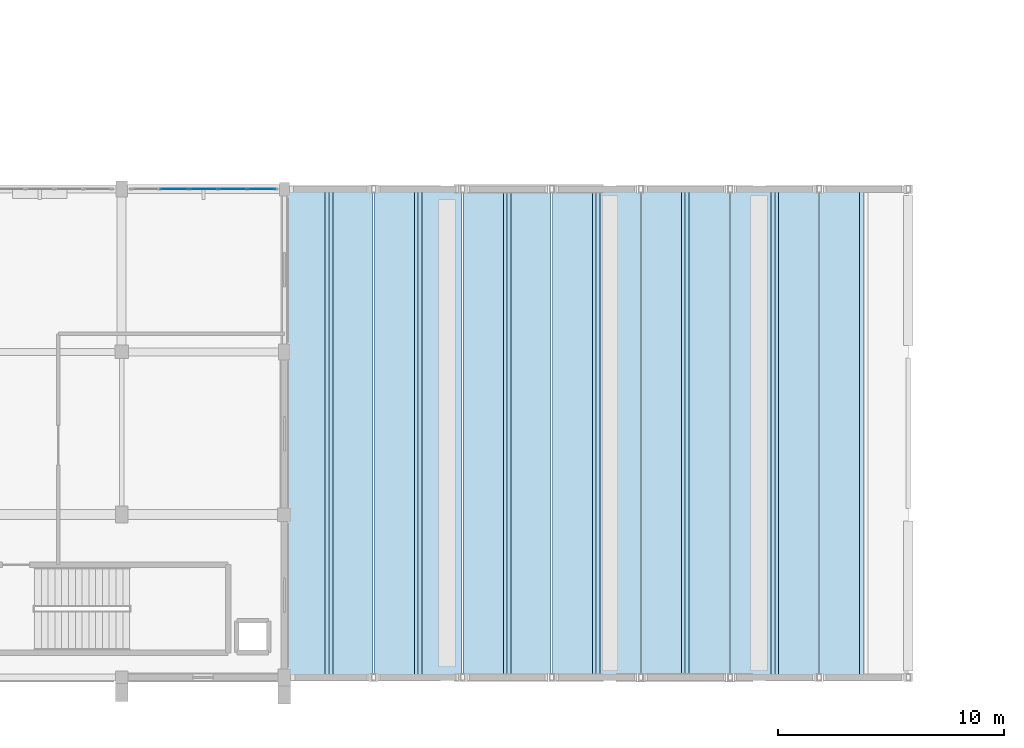
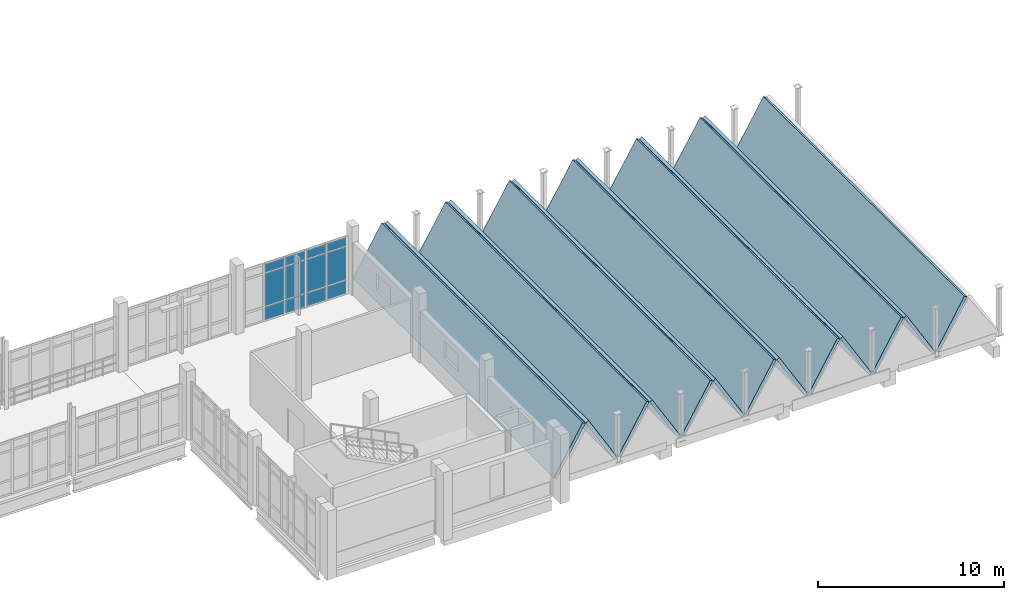
# One storey, part 96 of 124: 13 slabs, 12 plates, 1 element without a shape of its own.
"""IFC4 building model written with IfcOpenShell, lengths in metres."""

from ifc_helpers import new_model, si_unit, direction, frame, origin, origin_2d, place, context, subcontext, project, spatial, polyline, rectangle, outline, extrude, material, layer, layer_set, type_object, element, aggregate, save


model = new_model("IFC4")

# Units and contexts
model_context = context("Model", 3, precision=1e-05, world=origin(), true_north=direction((0.0, 1.0)))
body_context = subcontext(model_context, "Body", "Model", "MODEL_VIEW")
ifc_project = project(units=[si_unit("LENGTHUNIT", "METRE"), si_unit("AREAUNIT", "SQUARE_METRE"), si_unit("VOLUMEUNIT", "CUBIC_METRE"), si_unit("PLANEANGLEUNIT", "RADIAN"), si_unit("MASSUNIT", "GRAM", prefix="KILO")], contexts=[model_context])

# Site, building, storey
site_placement = place(None, origin())
site = spatial("IfcSite", under=ifc_project, at=site_placement, CompositionType="ELEMENT")
building_placement = place(site_placement, origin())
building = spatial("IfcBuilding", under=site, at=building_placement, Name="Kalluvel Institute of Natural Sciences", CompositionType="ELEMENT")
storey_placement = place(building_placement, frame((0.0, 0.0, 9.89990234375)))
storey = spatial("IfcBuildingStorey", under=building, at=storey_placement, Name="L02", CompositionType="ELEMENT", Elevation=9.89990234375)

# Curtain wall, plates
ifc_material_1 = material(Name="Aluminium AW-6063 T6", Category="aluminium")
curtain_wall_type = type_object("IfcCurtainWallType", Name="CW-SPAV-45", PredefinedType="USERDEFINED", material=ifc_material_1)
curtain_wall_placement = place(storey_placement, origin())
curtain_wall = element("IfcCurtainWall", 1, at=curtain_wall_placement, inside=storey, type_object=curtain_wall_type, Name="L02 Gothic lancet curtain wall CWA-L02-X1080-Y356", ObjectType="UNITISED LANCET FACADE", PredefinedType="USERDEFINED")
ifc_material_2 = material(Name="Solar-Control Low-E Laminated Glass", Category="glass")
ifc_layer_1 = layer(ifc_material_2, 0.028076171875)
ifc_layer_set_1 = layer_set([ifc_layer_1], Name="Solar-Control Low-E Laminated Glass")
plate_type = type_object("IfcPlateType", Name="CWP-DGU-28", PredefinedType="CURTAIN_PANEL", material=ifc_layer_set_1)
plate_1_placement = place(storey_placement, frame((109.93505859375, 35.60009765625, 0.065185546875), z_axis=(0.0, 0.0, 1.0), x_axis=(1.0, 0.0, 0.0)))
plate_1 = element("IfcPlate", 2, at=plate_1_placement, type_object=plate_type, Name="CW-10 panel 2.1", PredefinedType="CURTAIN_PANEL", context=body_context, shape_type="SweptSolid", body=[
    extrude(rectangle(XDim=1.22509765625, YDim=0.028076171875, at=origin_2d()), origin(), (0.0, 0.0, 1.0), 0.8525390625),
])
plate_2_placement = place(storey_placement, frame((109.93505859375, 35.60009765625, 0.982421875), z_axis=(0.0, 0.0, 1.0), x_axis=(1.0, 0.0, 0.0)))
plate_2 = element("IfcPlate", 3, at=plate_2_placement, type_object=plate_type, Name="CW-10 panel 2.2", PredefinedType="CURTAIN_PANEL", context=body_context, shape_type="SweptSolid", body=[
    extrude(rectangle(XDim=1.22509765625, YDim=0.028076171875, at=origin_2d()), origin(), (0.0, 0.0, 1.0), 2.135009765625),
])
plate_3_placement = place(storey_placement, frame((109.93505859375, 35.60009765625, 3.1826171875), z_axis=(0.0, 0.0, 1.0), x_axis=(1.0, 0.0, 0.0)))
plate_3 = element("IfcPlate", 4, at=plate_3_placement, type_object=plate_type, Name="CW-10 panel 2.3", PredefinedType="CURTAIN_PANEL", context=body_context, shape_type="SweptSolid", body=[
    extrude(rectangle(XDim=1.22509765625, YDim=0.028076171875, at=origin_2d()), origin(), (0.0, 0.0, 1.0), 0.552490234375),
])
plate_4_placement = place(storey_placement, frame((111.22509765625, 35.60009765625, 0.065185546875), z_axis=(0.0, 0.0, 1.0), x_axis=(1.0, 0.0, 0.0)))
plate_4 = element("IfcPlate", 5, at=plate_4_placement, type_object=plate_type, Name="CW-10 panel 3.1", PredefinedType="CURTAIN_PANEL", context=body_context, shape_type="SweptSolid", body=[
    extrude(rectangle(XDim=1.22509765625, YDim=0.028076171875, at=origin_2d()), origin(), (0.0, 0.0, 1.0), 0.8525390625),
])
plate_5_placement = place(storey_placement, frame((111.22509765625, 35.60009765625, 0.982421875), z_axis=(0.0, 0.0, 1.0), x_axis=(1.0, 0.0, 0.0)))
plate_5 = element("IfcPlate", 6, at=plate_5_placement, type_object=plate_type, Name="CW-10 panel 3.2", PredefinedType="CURTAIN_PANEL", context=body_context, shape_type="SweptSolid", body=[
    extrude(rectangle(XDim=1.22509765625, YDim=0.028076171875, at=origin_2d()), origin(), (0.0, 0.0, 1.0), 2.135009765625),
])
plate_6_placement = place(storey_placement, frame((111.22509765625, 35.60009765625, 3.1826171875), z_axis=(0.0, 0.0, 1.0), x_axis=(1.0, 0.0, 0.0)))
plate_6 = element("IfcPlate", 7, at=plate_6_placement, type_object=plate_type, Name="CW-10 panel 3.3", PredefinedType="CURTAIN_PANEL", context=body_context, shape_type="SweptSolid", body=[
    extrude(rectangle(XDim=1.22509765625, YDim=0.028076171875, at=origin_2d()), origin(), (0.0, 0.0, 1.0), 0.552490234375),
])
plate_7_placement = place(storey_placement, frame((112.514892578125, 35.60009765625, 0.065185546875), z_axis=(0.0, 0.0, 1.0), x_axis=(1.0, 0.0, 0.0)))
plate_7 = element("IfcPlate", 8, at=plate_7_placement, type_object=plate_type, Name="CW-10 panel 4.1", PredefinedType="CURTAIN_PANEL", context=body_context, shape_type="SweptSolid", body=[
    extrude(rectangle(XDim=1.22509765625, YDim=0.028076171875, at=origin_2d()), origin(), (0.0, 0.0, 1.0), 0.8525390625),
])
plate_8_placement = place(storey_placement, frame((112.514892578125, 35.60009765625, 0.982421875), z_axis=(0.0, 0.0, 1.0), x_axis=(1.0, 0.0, 0.0)))
plate_8 = element("IfcPlate", 9, at=plate_8_placement, type_object=plate_type, Name="CW-10 panel 4.2", PredefinedType="CURTAIN_PANEL", context=body_context, shape_type="SweptSolid", body=[
    extrude(rectangle(XDim=1.22509765625, YDim=0.028076171875, at=origin_2d()), origin(), (0.0, 0.0, 1.0), 2.135009765625),
])
plate_9_placement = place(storey_placement, frame((112.514892578125, 35.60009765625, 3.1826171875), z_axis=(0.0, 0.0, 1.0), x_axis=(1.0, 0.0, 0.0)))
plate_9 = element("IfcPlate", 10, at=plate_9_placement, type_object=plate_type, Name="CW-10 panel 4.3", PredefinedType="CURTAIN_PANEL", context=body_context, shape_type="SweptSolid", body=[
    extrude(rectangle(XDim=1.22509765625, YDim=0.028076171875, at=origin_2d()), origin(), (0.0, 0.0, 1.0), 0.552490234375),
])
plate_10_placement = place(storey_placement, frame((113.788818359375, 35.60009765625, 0.065185546875), z_axis=(0.0, 0.0, 1.0), x_axis=(1.0, 0.0, 0.0)))
plate_10 = element("IfcPlate", 11, at=plate_10_placement, type_object=plate_type, Name="CW-10 panel 5.1", PredefinedType="CURTAIN_PANEL", context=body_context, shape_type="SweptSolid", body=[
    extrude(rectangle(XDim=1.1923828125, YDim=0.028076171875, at=origin_2d()), origin(), (0.0, 0.0, 1.0), 0.8525390625),
])
plate_11_placement = place(storey_placement, frame((113.788818359375, 35.60009765625, 0.982421875), z_axis=(0.0, 0.0, 1.0), x_axis=(1.0, 0.0, 0.0)))
plate_11 = element("IfcPlate", 12, at=plate_11_placement, type_object=plate_type, Name="CW-10 panel 5.2", PredefinedType="CURTAIN_PANEL", context=body_context, shape_type="SweptSolid", body=[
    extrude(rectangle(XDim=1.1923828125, YDim=0.028076171875, at=origin_2d()), origin(), (0.0, 0.0, 1.0), 2.135009765625),
])
plate_12_placement = place(storey_placement, frame((113.788818359375, 35.60009765625, 3.1826171875), z_axis=(0.0, 0.0, 1.0), x_axis=(1.0, 0.0, 0.0)))
plate_12 = element("IfcPlate", 13, at=plate_12_placement, type_object=plate_type, Name="CW-10 panel 5.3", PredefinedType="CURTAIN_PANEL", context=body_context, shape_type="SweptSolid", body=[
    extrude(rectangle(XDim=1.1923828125, YDim=0.028076171875, at=origin_2d()), origin(), (0.0, 0.0, 1.0), 0.552490234375),
])
aggregate(curtain_wall, [plate_1, plate_2, plate_3, plate_4, plate_5, plate_6, plate_7, plate_8, plate_9, plate_10, plate_11, plate_12])

# Slabs
ifc_material_3 = material(Name="Sadarahalli Granite Precast Concrete M45", Category="masonry")
ifc_layer_2 = layer(ifc_material_3, 0.179931640625)
ifc_layer_set_2 = layer_set([ifc_layer_2], Name="Sadarahalli Granite Precast Concrete M45")
slab_type_1 = type_object("IfcSlabType", Name="SLB-FOLD-180", PredefinedType="ROOF", material=ifc_layer_set_2)
slab_1_placement = place(storey_placement, frame((118.767822265625, 14.0, 0.900146484375), z_axis=(-0.860039037308, 0.0, 0.510228237465), x_axis=(0.510228237465, 0.0, 0.860039037308)))
element("IfcSlab", 14, at=slab_1_placement, inside=storey, type_object=slab_type_1, Name="Lecture Theatre Folded-Plate Roof Facet 3", PredefinedType="ROOF", context=body_context, shape_type="SweptSolid", body=[
    extrude(outline(polyline([(0.0, 0.0), (3.4882137552632635, 0.0), (3.4882137552632635, 21.60009765625), (0.0, 21.60009765625), (0.0, 0.0)])), origin(), (0.0, 0.0, -1.0), 0.179931640625),
])
for number, where, z_axis, x_axis, name in (
    (15, (120.881103515625, 14.0, 3.900146484375), (0.860069749661, 0.0, 0.510176465273), (0.510176465273, 0.0, -0.860069749661), "Lecture Theatre Folded-Plate Roof Facet 4"),
    (16, (122.710693359375, 14.0, 0.900146484375), (-0.860069749661, 0.0, 0.510176465273), (0.510176465273, 0.0, 0.860069749661), "Lecture Theatre Folded-Plate Roof Facet 5"),
    (17, (124.823974609375, 14.0, 3.900146484375), (0.860069749661, 0.0, 0.510176465273), (0.510176465273, 0.0, -0.860069749661), "Lecture Theatre Folded-Plate Roof Facet 6"),
    (18, (126.653564453125, 14.0, 0.900146484375), (-0.860069749661, 0.0, 0.510176465273), (0.510176465273, 0.0, 0.860069749661), "Lecture Theatre Folded-Plate Roof Facet 7"),
    (19, (128.766845703125, 14.0, 3.900146484375), (0.860069749661, 0.0, 0.510176465273), (0.510176465273, 0.0, -0.860069749661), "Lecture Theatre Folded-Plate Roof Facet 8"),
):
    element("IfcSlab", number, at=place(storey_placement, frame(where, z_axis=z_axis, x_axis=x_axis)), inside=storey, type_object=slab_type_1, Name=name, PredefinedType="ROOF", context=body_context, shape_type="SweptSolid", body=[
        extrude(outline(polyline([(0.0, 0.0), (3.4880891941422107, 0.0), (3.4880891941422107, 21.60009765625), (0.0, 21.60009765625), (0.0, 0.0)])), origin(), (0.0, 0.0, -1.0), 0.179931640625),
    ])
slab_2_placement = place(storey_placement, frame((130.596435546875, 14.0, 0.900146484375), z_axis=(-0.860039037308, 0.0, 0.510228237465), x_axis=(0.510228237465, 0.0, 0.860039037308)))
element("IfcSlab", 20, at=slab_2_placement, inside=storey, type_object=slab_type_1, Name="Lecture Theatre Folded-Plate Roof Facet 9", PredefinedType="ROOF", context=body_context, shape_type="SweptSolid", body=[
    extrude(outline(polyline([(0.0, 0.0), (3.4882137552632635, 0.0), (3.4882137552632635, 21.60009765625), (0.0, 21.60009765625), (0.0, 0.0)])), origin(), (0.0, 0.0, -1.0), 0.179931640625),
])
for number, where, z_axis, x_axis, name in (
    (21, (132.709716796875, 14.0, 3.900146484375), (0.860069749661, 0.0, 0.510176465273), (0.510176465273, 0.0, -0.860069749661), "Lecture Theatre Folded-Plate Roof Facet 10"),
    (22, (134.539306640625, 14.0, 0.900146484375), (-0.860069749661, 0.0, 0.510176465273), (0.510176465273, 0.0, 0.860069749661), "Lecture Theatre Folded-Plate Roof Facet 11"),
    (23, (136.652587890625, 14.0, 3.900146484375), (0.860069749661, 0.0, 0.510176465273), (0.510176465273, 0.0, -0.860069749661), "Lecture Theatre Folded-Plate Roof Facet 12"),
):
    element("IfcSlab", number, at=place(storey_placement, frame(where, z_axis=z_axis, x_axis=x_axis)), inside=storey, type_object=slab_type_1, Name=name, PredefinedType="ROOF", context=body_context, shape_type="SweptSolid", body=[
        extrude(outline(polyline([(0.0, 0.0), (3.4880891941422107, 0.0), (3.4880891941422107, 21.60009765625), (0.0, 21.60009765625), (0.0, 0.0)])), origin(), (0.0, 0.0, -1.0), 0.179931640625),
    ])
ifc_layer_3 = layer(ifc_material_3, 0.199951171875)
ifc_layer_set_3 = layer_set([ifc_layer_3], Name="Sadarahalli Granite Precast Concrete M45")
slab_type_2 = type_object("IfcSlabType", Name="SLB-FOLD-200", PredefinedType="ROOF", material=ifc_layer_set_3)
slab_3_placement = place(storey_placement, frame((114.800048828125, 14.0, 0.900146484375), z_axis=(-0.859055759026, 0.0, 0.511882020474), x_axis=(0.511882020474, 0.0, 0.859055759026)))
element("IfcSlab", 24, at=slab_3_placement, inside=storey, type_object=slab_type_2, Name="Lecture Theatre Folded-Plate Roof Facet 1", PredefinedType="ROOF", context=body_context, shape_type="SweptSolid", body=[
    extrude(outline(polyline([(0.0, 0.0), (3.4922063771533454, 0.0), (3.4922063771533454, 21.60009765625), (0.0, 21.60009765625), (0.0, 0.0)])), origin(), (0.0, 0.0, -1.0), 0.199951171875),
])
slab_4_placement = place(storey_placement, frame((116.955810546875, 14.0, 3.900146484375), z_axis=(0.862247920574, 0.0, 0.506486449439), x_axis=(0.506486449439, 0.0, -0.862247920574)))
element("IfcSlab", 25, at=slab_4_placement, inside=storey, type_object=slab_type_2, Name="Lecture Theatre Folded-Plate Roof Facet 2", PredefinedType="ROOF", context=body_context, shape_type="SweptSolid", body=[
    extrude(outline(polyline([(0.0, 0.0), (3.479277744157103, 0.0), (3.479277744157103, 21.60009765625), (0.0, 21.60009765625), (0.0, 0.0)])), origin(), (0.0, 0.0, -1.0), 0.199951171875),
])
slab_5_placement = place(storey_placement, frame((138.482177734375, 14.0, 0.900146484375), z_axis=(-0.862278564472, 0.0, 0.506434277327), x_axis=(0.506434277327, 0.0, 0.862278564472)))
element("IfcSlab", 26, at=slab_5_placement, inside=storey, type_object=slab_type_2, Name="Lecture Theatre Folded-Plate Roof Facet 13", PredefinedType="ROOF", context=body_context, shape_type="SweptSolid", body=[
    extrude(outline(polyline([(0.0, 0.0), (3.479154096607336, 0.0), (3.479154096607336, 21.60009765625), (0.0, 21.60009765625), (0.0, 0.0)])), origin(), (0.0, 0.0, -1.0), 0.199951171875),
])

save(model, "model.ifc")
